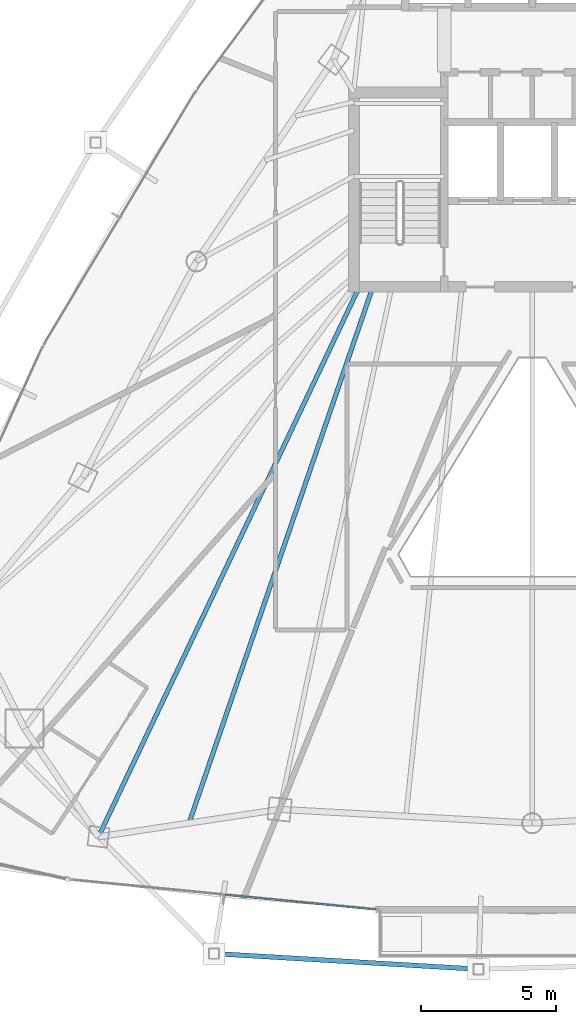
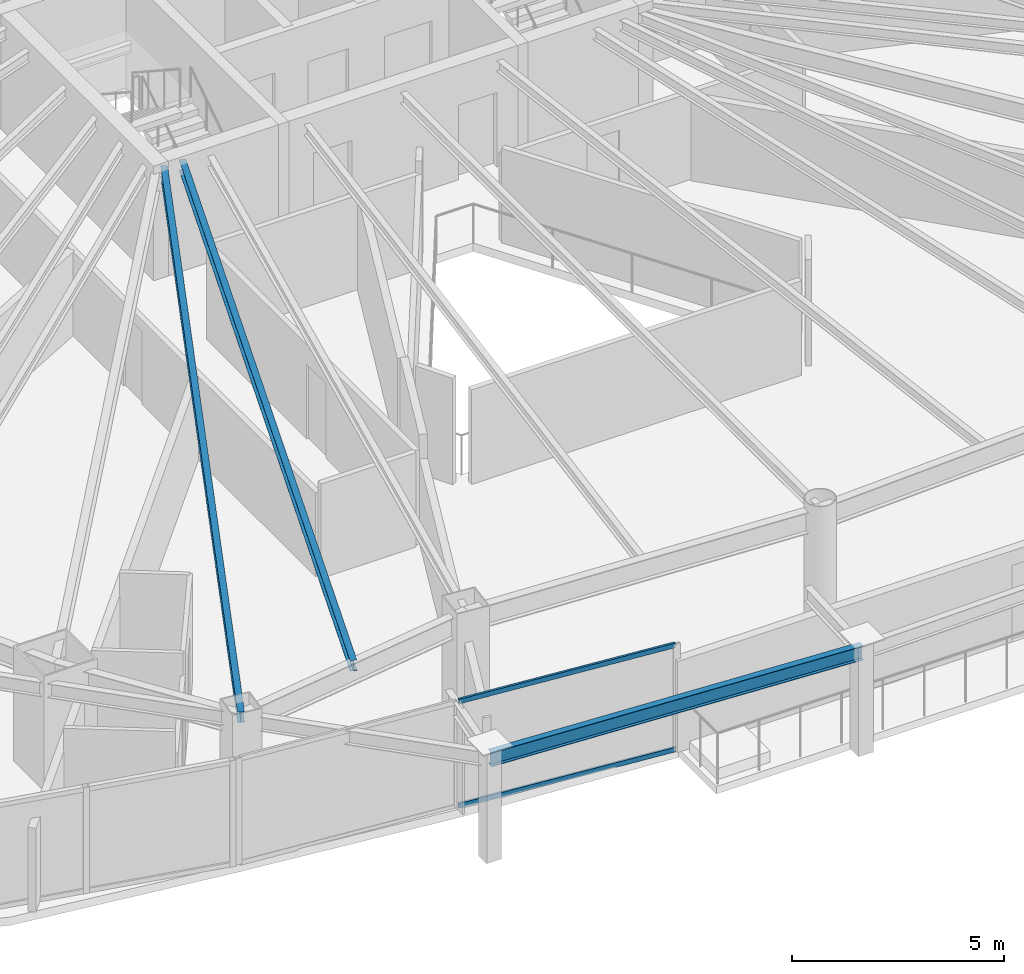
# One storey, part 6 of 31: 3 beams, 2 members, 1 element without a shape of its own.
"""IFC4 building model written with IfcOpenShell, lengths in metres."""

from ifc_helpers import new_model, si_unit, direction, frame, origin, origin_2d, place, context, subcontext, project, spatial, hollow_rectangle, i_section, extrude, material, layer, layer_set, material_profile, profile_set, type_object, element, aggregate, save


model = new_model("IFC4")

# Units and contexts
model_context = context("Model", 3, precision=1e-05, world=origin(), true_north=direction((0.0, 1.0)))
body_context = subcontext(model_context, "Body", "Model", "MODEL_VIEW")
ifc_project = project(units=[si_unit("LENGTHUNIT", "METRE"), si_unit("AREAUNIT", "SQUARE_METRE"), si_unit("VOLUMEUNIT", "CUBIC_METRE"), si_unit("PLANEANGLEUNIT", "RADIAN"), si_unit("MASSUNIT", "GRAM", prefix="KILO")], contexts=[model_context])

# Site, building, storey
site_placement = place(None, origin())
site = spatial("IfcSite", under=ifc_project, at=site_placement, CompositionType="ELEMENT")
building_placement = place(site_placement, origin())
building = spatial("IfcBuilding", under=site, at=building_placement, Name="Orvanel Arch Residences", CompositionType="ELEMENT")
storey_placement = place(building_placement, frame((0.0, 0.0, 157.25)))
storey = spatial("IfcBuildingStorey", under=building, at=storey_placement, Name="L44", CompositionType="ELEMENT", Elevation=157.25)

# Beams
ifc_material_1 = material(Name="Structural steel AS/NZS 3679.1 Grade 300 (300 MPa)", Category="steel")
ifc_material_profile_1 = material_profile(ifc_material_1, i_section(OverallWidth=0.1650390625, OverallDepth=0.303955078125, WebThickness=0.006103515625, FlangeThickness=0.01025390625, at=origin_2d()), Name="310UB40.4")
ifc_profile_set_1 = profile_set([ifc_material_profile_1], Name="Structural steel AS/NZS 3679.1 Grade 300 (300 MPa)")
beam_type_1 = type_object("IfcBeamType", Name="BJ-310UB", PredefinedType="JOIST", material=ifc_profile_set_1)
beam_1_placement = place(storey_placement, frame((26.60009765625, 26.699951171875, 2.907958984375), z_axis=(-0.428614365266, -0.903487534993, 0.0), x_axis=(0.903487534993, -0.428614365266, 0.0)))
element("IfcBeam", 1, at=beam_1_placement, inside=storey, type_object=beam_type_1, Name="L44 MSW Wing Floor Joist", PredefinedType="JOIST", context=body_context, shape_type="SweptSolid", body=[
    extrude(i_section(OverallWidth=0.1650390625, OverallDepth=0.303955078125, WebThickness=0.006103515625, FlangeThickness=0.01025390625, at=origin_2d()), origin(), (0.0, 0.0, 1.0), 22.535888671875),
])
beam_2_placement = place(storey_placement, frame((27.10009765625, 26.699951171875, 2.907958984375), z_axis=(-0.324257108963, -0.945968988544, 0.0), x_axis=(0.945968988544, -0.324257108963, 0.0)))
element("IfcBeam", 2, at=beam_2_placement, inside=storey, type_object=beam_type_1, Name="L44 JADD1 Wing Floor Joist", PredefinedType="JOIST", context=body_context, shape_type="SweptSolid", body=[
    extrude(i_section(OverallWidth=0.1650390625, OverallDepth=0.303955078125, WebThickness=0.006103515625, FlangeThickness=0.01025390625, at=origin_2d()), origin(), (0.0, 0.0, 1.0), 20.987060546875),
])
ifc_material_profile_2 = material_profile(ifc_material_1, i_section(OverallWidth=0.177978515625, OverallDepth=0.406005859375, WebThickness=0.0078125, FlangeThickness=0.0126953125, at=origin_2d()), Name="410UB59.7")
ifc_profile_set_2 = profile_set([ifc_material_profile_2], Name="Structural steel AS/NZS 3679.1 Grade 300 (300 MPa)")
beam_type_2 = type_object("IfcBeamType", Name="OB-410UB-EXT", PredefinedType="SPANDREL", material=ifc_profile_set_2)
beam_3_placement = place(storey_placement, frame((21.218994140625, 2.01611328125, 2.85693359375), z_axis=(0.998261301792, -0.058943815147, 0.0), x_axis=(0.058943815147, 0.998261301792, 0.0)))
element("IfcBeam", 3, at=beam_3_placement, inside=storey, type_object=beam_type_2, Name="L44 Outer Perimeter Floor Ring Beam 05", PredefinedType="SPANDREL", context=body_context, shape_type="SweptSolid", body=[
    extrude(i_section(OverallWidth=0.177978515625, OverallDepth=0.406005859375, WebThickness=0.0078125, FlangeThickness=0.0126953125, at=origin_2d()), origin(), (0.0, 0.0, 1.0), 9.80810546875),
])

# Curtain wall, members
ifc_material_2 = material(Name="Bronze-anodised aluminium AA6063-T6", Category="aluminium")
ifc_layer = layer(ifc_material_2, 0.179931640625)
ifc_layer_set = layer_set([ifc_layer], Name="Bronze-anodised aluminium AA6063-T6")
curtain_wall_type = type_object("IfcCurtainWallType", Name="CW3-MID-SYS", PredefinedType="NOTDEFINED", material=ifc_layer_set)
curtain_wall_placement = place(storey_placement, origin())
curtain_wall = element("IfcCurtainWall", 4, at=curtain_wall_placement, inside=storey, type_object=curtain_wall_type, Name="L44 CW3-MID-SYS Unitised Curtain Wall", PredefinedType="NOTDEFINED")
ifc_material_profile_3 = material_profile(ifc_material_2, hollow_rectangle(XDim=0.06005859375, YDim=0.135009765625, WallThickness=0.00390625, at=origin_2d()), Name="ALU135x60x4")
ifc_profile_set_3 = profile_set([ifc_material_profile_3], Name="Bronze-anodised aluminium AA6063-T6")
member_type = type_object("IfcMemberType", Name="TRN-135x60", PredefinedType="USERDEFINED", material=ifc_profile_set_3)
member_1_placement = place(storey_placement, frame((21.626220703125, 4.194091796875, 0.030029296875), z_axis=(0.995278225692, -0.097063141629, 0.0), x_axis=(0.097063141629, 0.995278225692, 0.0)))
member_1 = element("IfcMember", 5, at=member_1_placement, type_object=member_type, Name="CW-S3 transom 2.1", ObjectType="TRANSOM", PredefinedType="USERDEFINED", context=body_context, shape_type="SweptSolid", body=[
    extrude(hollow_rectangle(XDim=0.06005859375, YDim=0.135009765625, WallThickness=0.00390625, at=origin_2d()), origin(), (0.0, 0.0, 1.0), 5.6064453125),
])
member_2_placement = place(storey_placement, frame((21.626220703125, 4.194091796875, 3.030029296875), z_axis=(0.995278225692, -0.097063141629, 0.0), x_axis=(0.097063141629, 0.995278225692, 0.0)))
member_2 = element("IfcMember", 6, at=member_2_placement, type_object=member_type, Name="CW-S3 transom 2.2", ObjectType="TRANSOM", PredefinedType="USERDEFINED", context=body_context, shape_type="SweptSolid", body=[
    extrude(hollow_rectangle(XDim=0.06005859375, YDim=0.135009765625, WallThickness=0.00390625, at=origin_2d()), origin(), (0.0, 0.0, 1.0), 5.6064453125),
])
aggregate(curtain_wall, [member_1, member_2])

save(model, "model.ifc")
